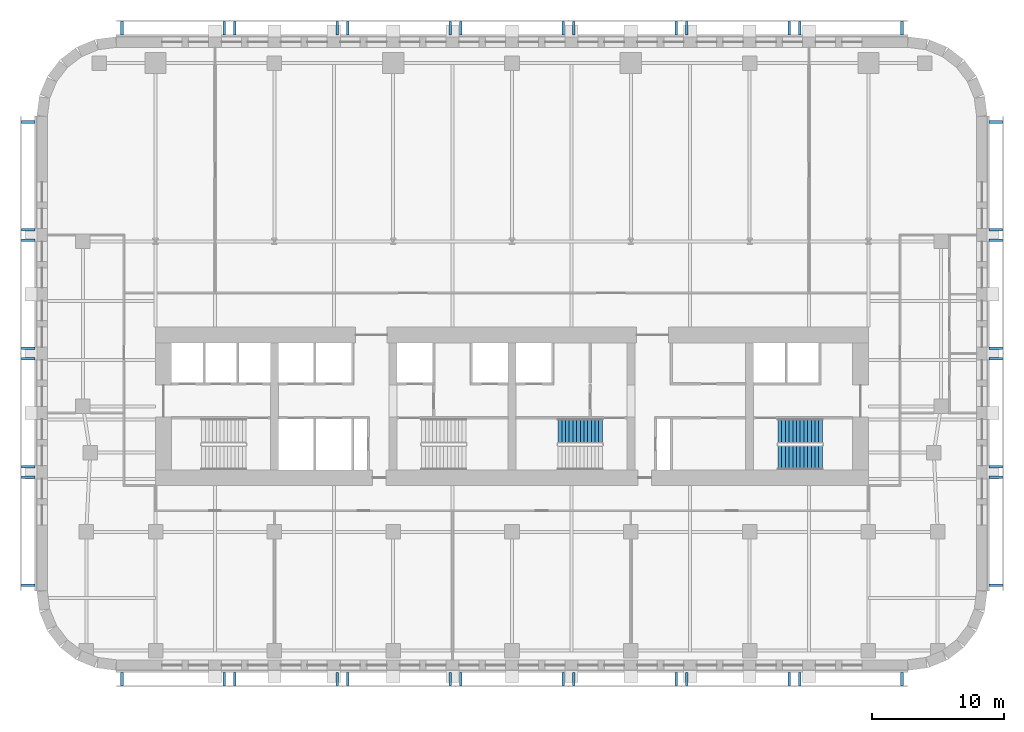
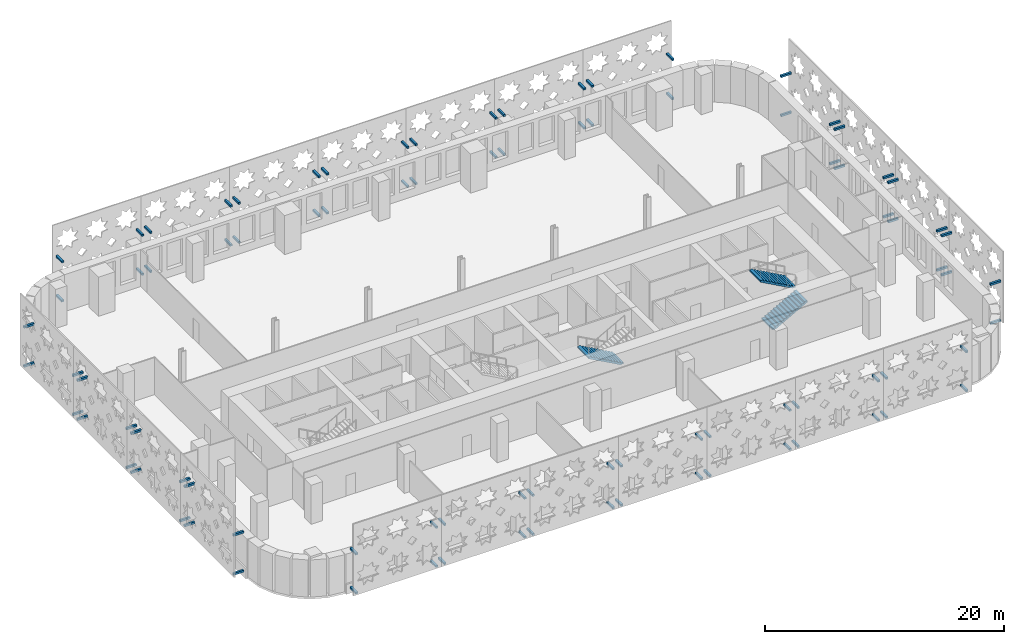
# One storey, part 8 of 13: 88 discrete accessories, 3 stair flights, 2 elements without a shape of their own.
"""IFC4 building model written with IfcOpenShell, lengths in metres."""

from ifc_helpers import new_model, si_unit, direction, frame, origin, origin_2d, place, context, subcontext, project, spatial, polyline, rectangle, outline, extrude, material, type_object, element, aggregate, save


model = new_model("IFC4")

# Units and contexts
model_context = context("Model", 3, precision=1e-05, world=origin(), true_north=direction((0.0, 1.0)))
body_context = subcontext(model_context, "Body", "Model", "MODEL_VIEW")
ifc_project = project(units=[si_unit("LENGTHUNIT", "METRE"), si_unit("AREAUNIT", "SQUARE_METRE"), si_unit("VOLUMEUNIT", "CUBIC_METRE"), si_unit("PLANEANGLEUNIT", "RADIAN"), si_unit("MASSUNIT", "GRAM", prefix="KILO")], contexts=[model_context])

# Site, building, storey
site_placement = place(None, origin())
site = spatial("IfcSite", under=ifc_project, at=site_placement, CompositionType="ELEMENT")
building_placement = place(site_placement, origin())
building = spatial("IfcBuilding", under=site, at=building_placement, Name="Zellij Exchange Tower", CompositionType="ELEMENT")
storey_placement = place(building_placement, frame((0.0, 0.0, 60.5)))
storey = spatial("IfcBuildingStorey", under=building, at=storey_placement, Name="L11", CompositionType="ELEMENT", Elevation=60.5)

# Stair, stair flight
ifc_material_1 = material(Name="Concrete C40/50", Category="concrete")
stair_type = type_object("IfcStairType", Name="CORE-ST exit stair 1850 wide", PredefinedType="HALF_TURN_STAIR", material=ifc_material_1)
stair_1_placement = place(storey_placement, origin())
stair_1 = element("IfcStair", 1, at=stair_1_placement, inside=storey, type_object=stair_type, Name="L11 exit stair ST3", PredefinedType="HALF_TURN_STAIR")
stair_flight_type = type_object("IfcStairFlightType", Name="CORE-SF flight 1850 riser 153.8 going 280", PredefinedType="STRAIGHT", material=ifc_material_1)
stair_flight_1_placement = place(storey_placement, frame((6.85009765625, -9.875, 0.0), z_axis=(0.0, 0.0, 1.0), x_axis=(-1.0, 0.0, 0.0)))
stair_flight_1 = element("IfcStairFlight", 2, at=stair_flight_1_placement, type_object=stair_flight_type, Name="ST3 flight 1", NumberOfRisers=13, NumberOfTreads=12, PredefinedType="STRAIGHT", RiserHeight=0.153846154, TreadLength=0.28, context=body_context, shape_type="SweptSolid", body=[
    extrude(outline(polyline([(0.0, 0.0), (0.0, 0.15380859375), (0.280029296875, 0.15380859375), (0.280029296875, 0.3076171875), (0.56005859375, 0.3076171875), (0.56005859375, 0.46142578125), (0.840087890625, 0.46142578125), (0.840087890625, 0.615478515625), (1.1201171875, 0.615478515625), (1.1201171875, 0.769287109375), (1.39990234375, 0.769287109375), (1.39990234375, 0.923095703125), (1.679931640625, 0.923095703125), (1.679931640625, 1.076904296875), (1.9599609375, 1.076904296875), (1.9599609375, 1.230712890625), (2.239990234375, 1.230712890625), (2.239990234375, 1.384521484375), (2.52001953125, 1.384521484375), (2.52001953125, 1.53857421875), (2.800048828125, 1.53857421875), (2.800048828125, 1.6923828125), (3.080078125, 1.6923828125), (3.080078125, 1.84619140625), (3.360107421875, 1.84619140625), (3.360107421875, 2.0), (3.360107421875, 1.675048828125), (0.311279296875, 0.0), (0.0, 0.0)])), frame((0.0, 0.925048828125, 0.0), z_axis=(0.0, -1.0, 0.0), x_axis=(1.0, 0.0, 0.0)), (0.0, 0.0, 1.0), 1.85009765625),
])
aggregate(stair_1, [stair_flight_1])

# Stair, stair flights
stair_2_placement = place(storey_placement, origin())
stair_2 = element("IfcStair", 3, at=stair_2_placement, inside=storey, type_object=stair_type, Name="L11 exit stair ST4", PredefinedType="HALF_TURN_STAIR")
stair_flight_2_placement = place(storey_placement, frame((20.14990234375, -11.875, 0.0), z_axis=(0.0, 0.0, 1.0), x_axis=(1.0, 0.0, 0.0)))
stair_flight_2 = element("IfcStairFlight", 4, at=stair_flight_2_placement, type_object=stair_flight_type, Name="ST4 flight 1", NumberOfRisers=13, NumberOfTreads=12, PredefinedType="STRAIGHT", RiserHeight=0.153846154, TreadLength=0.28, context=body_context, shape_type="SweptSolid", body=[
    extrude(outline(polyline([(0.0, 0.0), (0.0, 0.15380859375), (0.280029296875, 0.15380859375), (0.280029296875, 0.3076171875), (0.56005859375, 0.3076171875), (0.56005859375, 0.46142578125), (0.840087890625, 0.46142578125), (0.840087890625, 0.615478515625), (1.1201171875, 0.615478515625), (1.1201171875, 0.769287109375), (1.39990234375, 0.769287109375), (1.39990234375, 0.923095703125), (1.679931640625, 0.923095703125), (1.679931640625, 1.076904296875), (1.9599609375, 1.076904296875), (1.9599609375, 1.230712890625), (2.239990234375, 1.230712890625), (2.239990234375, 1.384521484375), (2.52001953125, 1.384521484375), (2.52001953125, 1.53857421875), (2.800048828125, 1.53857421875), (2.800048828125, 1.6923828125), (3.080078125, 1.6923828125), (3.080078125, 1.84619140625), (3.360107421875, 1.84619140625), (3.360107421875, 2.0), (3.360107421875, 1.675048828125), (0.311279296875, 0.0), (0.0, 0.0)])), frame((0.0, 0.925048828125, 0.0), z_axis=(0.0, -1.0, 0.0), x_axis=(1.0, 0.0, 0.0)), (0.0, 0.0, 1.0), 1.85009765625),
])
stair_flight_3_placement = place(storey_placement, frame((23.510009765625, -9.875, 2.0), z_axis=(0.0, 0.0, 1.0), x_axis=(-1.0, 0.0, 0.0)))
stair_flight_3 = element("IfcStairFlight", 5, at=stair_flight_3_placement, type_object=stair_flight_type, Name="ST4 flight 2", NumberOfRisers=13, NumberOfTreads=12, PredefinedType="STRAIGHT", RiserHeight=0.153846154, TreadLength=0.28, context=body_context, shape_type="SweptSolid", body=[
    extrude(outline(polyline([(0.0, 0.0), (0.0, 0.15380859375), (0.280029296875, 0.15380859375), (0.280029296875, 0.3076171875), (0.56005859375, 0.3076171875), (0.56005859375, 0.46142578125), (0.840087890625, 0.46142578125), (0.840087890625, 0.615478515625), (1.1201171875, 0.615478515625), (1.1201171875, 0.769287109375), (1.39990234375, 0.769287109375), (1.39990234375, 0.923095703125), (1.679931640625, 0.923095703125), (1.679931640625, 1.076904296875), (1.9599609375, 1.076904296875), (1.9599609375, 1.230712890625), (2.239990234375, 1.230712890625), (2.239990234375, 1.384521484375), (2.52001953125, 1.384521484375), (2.52001953125, 1.53857421875), (2.800048828125, 1.53857421875), (2.800048828125, 1.6923828125), (3.080078125, 1.6923828125), (3.080078125, 1.84619140625), (3.360107421875, 1.84619140625), (3.360107421875, 2.0), (3.360107421875, 1.675048828125), (0.311279296875, 0.0), (0.0, 0.0)])), frame((0.0, 0.925048828125, 0.0), z_axis=(0.0, -1.0, 0.0), x_axis=(1.0, 0.0, 0.0)), (0.0, 0.0, 1.0), 1.85009765625),
])
aggregate(stair_2, [stair_flight_2, stair_flight_3])

# Discrete accessories
ifc_material_2 = material(Name="Stainless steel", Category="steel")
discrete_accessory_type = type_object("IfcDiscreteAccessoryType", Name="ENV-BR1 Stone panel bracket 200", PredefinedType="USERDEFINED", material=ifc_material_2)
for number, where, z_axis, x_axis, name in (
    (6, (-36.64990234375, 13.547607421875, 0.2998046875), (0.0, 0.0, 1.0), (0.0, -1.0, 0.0), "Panel bracket"),
    (7, (-36.64990234375, 5.373779296875, 0.2998046875), (0.0, 0.0, 1.0), (0.0, -1.0, 0.0), "Panel bracket"),
    (8, (-36.64990234375, 13.547607421875, 4.2998046875), (0.0, 0.0, 1.0), (0.0, -1.0, 0.0), "Panel bracket"),
    (9, (-36.64990234375, 5.373779296875, 4.2998046875), (0.0, 0.0, 1.0), (0.0, -1.0, 0.0), "Panel bracket"),
    (10, (-36.64990234375, 4.57373046875, 0.2998046875), (0.0, 0.0, 1.0), (0.0, -1.0, 0.0), "Panel bracket"),
    (11, (-36.64990234375, -3.60009765625, 0.2998046875), (0.0, 0.0, 1.0), (0.0, -1.0, 0.0), "Panel bracket"),
    (12, (-36.64990234375, 4.57373046875, 4.2998046875), (0.0, 0.0, 1.0), (0.0, -1.0, 0.0), "Panel bracket"),
    (13, (-36.64990234375, -3.60009765625, 4.2998046875), (0.0, 0.0, 1.0), (0.0, -1.0, 0.0), "Panel bracket"),
    (14, (-36.64990234375, -4.39990234375, 0.2998046875), (0.0, 0.0, 1.0), (0.0, -1.0, 0.0), "Panel bracket"),
    (15, (-36.64990234375, -12.57373046875, 0.2998046875), (0.0, 0.0, 1.0), (0.0, -1.0, 0.0), "Panel bracket"),
    (16, (-36.64990234375, -4.39990234375, 4.2998046875), (0.0, 0.0, 1.0), (0.0, -1.0, 0.0), "Panel bracket"),
    (17, (-36.64990234375, -12.57373046875, 4.2998046875), (0.0, 0.0, 1.0), (0.0, -1.0, 0.0), "Panel bracket"),
    (18, (-36.64990234375, -13.373779296875, 0.2998046875), (0.0, 0.0, 1.0), (0.0, -1.0, 0.0), "Panel bracket"),
    (19, (-36.64990234375, -21.547607421875, 0.2998046875), (0.0, 0.0, 1.0), (0.0, -1.0, 0.0), "Panel bracket"),
    (20, (-36.64990234375, -13.373779296875, 4.2998046875), (0.0, 0.0, 1.0), (0.0, -1.0, 0.0), "Panel bracket"),
    (21, (-36.64990234375, -21.547607421875, 4.2998046875), (0.0, 0.0, 1.0), (0.0, -1.0, 0.0), "Panel bracket"),
    (22, (-29.547607421875, -28.64990234375, 0.2998046875), (0.0, 0.0, 1.0), (1.0, 0.0, 0.0), "Panel bracket"),
    (23, (-21.791015625, -28.64990234375, 0.2998046875), (0.0, 0.0, 1.0), (1.0, 0.0, 0.0), "Panel bracket"),
    (24, (-29.547607421875, -28.64990234375, 4.2998046875), (0.0, 0.0, 1.0), (1.0, 0.0, 0.0), "Panel bracket"),
    (25, (-21.791015625, -28.64990234375, 4.2998046875), (0.0, 0.0, 1.0), (1.0, 0.0, 0.0), "Panel bracket"),
    (26, (-20.9912109375, -28.64990234375, 0.2998046875), (0.0, 0.0, 1.0), (1.0, 0.0, 0.0), "Panel bracket"),
    (27, (-13.234619140625, -28.64990234375, 0.2998046875), (0.0, 0.0, 1.0), (1.0, 0.0, 0.0), "Panel bracket"),
    (28, (-20.9912109375, -28.64990234375, 4.2998046875), (0.0, 0.0, 1.0), (1.0, 0.0, 0.0), "Panel bracket"),
    (29, (-13.234619140625, -28.64990234375, 4.2998046875), (0.0, 0.0, 1.0), (1.0, 0.0, 0.0), "Panel bracket"),
    (30, (-12.434814453125, -28.64990234375, 0.2998046875), (0.0, 0.0, 1.0), (1.0, 0.0, 0.0), "Panel bracket"),
    (31, (-4.67822265625, -28.64990234375, 0.2998046875), (0.0, 0.0, 1.0), (1.0, 0.0, 0.0), "Panel bracket"),
    (32, (-12.434814453125, -28.64990234375, 4.2998046875), (0.0, 0.0, 1.0), (1.0, 0.0, 0.0), "Panel bracket"),
    (33, (-4.67822265625, -28.64990234375, 4.2998046875), (0.0, 0.0, 1.0), (1.0, 0.0, 0.0), "Panel bracket"),
    (34, (-3.878173828125, -28.64990234375, 0.2998046875), (0.0, 0.0, 1.0), (1.0, 0.0, 0.0), "Panel bracket"),
    (35, (3.878173828125, -28.64990234375, 0.2998046875), (0.0, 0.0, 1.0), (1.0, 0.0, 0.0), "Panel bracket"),
    (36, (-3.878173828125, -28.64990234375, 4.2998046875), (0.0, 0.0, 1.0), (1.0, 0.0, 0.0), "Panel bracket"),
    (37, (3.878173828125, -28.64990234375, 4.2998046875), (0.0, 0.0, 1.0), (1.0, 0.0, 0.0), "Panel bracket"),
    (38, (4.67822265625, -28.64990234375, 0.2998046875), (0.0, 0.0, 1.0), (1.0, 0.0, 0.0), "Panel bracket"),
    (39, (12.434814453125, -28.64990234375, 0.2998046875), (0.0, 0.0, 1.0), (1.0, 0.0, 0.0), "Panel bracket"),
    (40, (4.67822265625, -28.64990234375, 4.2998046875), (0.0, 0.0, 1.0), (1.0, 0.0, 0.0), "Panel bracket"),
    (41, (12.434814453125, -28.64990234375, 4.2998046875), (0.0, 0.0, 1.0), (1.0, 0.0, 0.0), "Panel bracket"),
    (42, (13.234619140625, -28.64990234375, 0.2998046875), (0.0, 0.0, 1.0), (1.0, 0.0, 0.0), "Panel bracket"),
    (43, (20.9912109375, -28.64990234375, 0.2998046875), (0.0, 0.0, 1.0), (1.0, 0.0, 0.0), "Panel bracket"),
    (44, (13.234619140625, -28.64990234375, 4.2998046875), (0.0, 0.0, 1.0), (1.0, 0.0, 0.0), "Panel bracket"),
    (45, (20.9912109375, -28.64990234375, 4.2998046875), (0.0, 0.0, 1.0), (1.0, 0.0, 0.0), "Panel bracket"),
    (46, (21.791015625, -28.64990234375, 0.2998046875), (0.0, 0.0, 1.0), (1.0, 0.0, 0.0), "Panel bracket"),
    (47, (29.547607421875, -28.64990234375, 0.2998046875), (0.0, 0.0, 1.0), (1.0, 0.0, 0.0), "Panel bracket"),
    (48, (21.791015625, -28.64990234375, 4.2998046875), (0.0, 0.0, 1.0), (1.0, 0.0, 0.0), "Panel bracket"),
    (49, (29.547607421875, -28.64990234375, 4.2998046875), (0.0, 0.0, 1.0), (1.0, 0.0, 0.0), "Panel bracket"),
    (50, (29.547607421875, 20.64990234375, 0.2998046875), (0.0, 0.0, 1.0), (-1.0, 0.0, 0.0), "Panel bracket"),
    (51, (21.791015625, 20.64990234375, 0.2998046875), (0.0, 0.0, 1.0), (-1.0, 0.0, 0.0), "Panel bracket"),
    (52, (29.547607421875, 20.64990234375, 4.2998046875), (0.0, 0.0, 1.0), (-1.0, 0.0, 0.0), "Panel bracket"),
    (53, (21.791015625, 20.64990234375, 4.2998046875), (0.0, 0.0, 1.0), (-1.0, 0.0, 0.0), "Panel bracket"),
    (54, (20.9912109375, 20.64990234375, 0.2998046875), (0.0, 0.0, 1.0), (-1.0, 0.0, 0.0), "Panel bracket"),
    (55, (13.234619140625, 20.64990234375, 0.2998046875), (0.0, 0.0, 1.0), (-1.0, 0.0, 0.0), "Panel bracket"),
    (56, (20.9912109375, 20.64990234375, 4.2998046875), (0.0, 0.0, 1.0), (-1.0, 0.0, 0.0), "Panel bracket"),
    (57, (13.234619140625, 20.64990234375, 4.2998046875), (0.0, 0.0, 1.0), (-1.0, 0.0, 0.0), "Panel bracket"),
    (58, (12.434814453125, 20.64990234375, 0.2998046875), (0.0, 0.0, 1.0), (-1.0, 0.0, 0.0), "Panel bracket"),
    (59, (4.67822265625, 20.64990234375, 0.2998046875), (0.0, 0.0, 1.0), (-1.0, 0.0, 0.0), "Panel bracket"),
    (60, (12.434814453125, 20.64990234375, 4.2998046875), (0.0, 0.0, 1.0), (-1.0, 0.0, 0.0), "Panel bracket"),
    (61, (4.67822265625, 20.64990234375, 4.2998046875), (0.0, 0.0, 1.0), (-1.0, 0.0, 0.0), "Panel bracket"),
    (62, (3.878173828125, 20.64990234375, 0.2998046875), (0.0, 0.0, 1.0), (-1.0, 0.0, 0.0), "Panel bracket"),
    (63, (-3.878173828125, 20.64990234375, 0.2998046875), (0.0, 0.0, 1.0), (-1.0, 0.0, 0.0), "Panel bracket"),
    (64, (3.878173828125, 20.64990234375, 4.2998046875), (0.0, 0.0, 1.0), (-1.0, 0.0, 0.0), "Panel bracket"),
    (65, (-3.878173828125, 20.64990234375, 4.2998046875), (0.0, 0.0, 1.0), (-1.0, 0.0, 0.0), "Panel bracket"),
    (66, (-4.67822265625, 20.64990234375, 0.2998046875), (0.0, 0.0, 1.0), (-1.0, 0.0, 0.0), "Panel bracket"),
    (67, (-12.434814453125, 20.64990234375, 0.2998046875), (0.0, 0.0, 1.0), (-1.0, 0.0, 0.0), "Panel bracket"),
    (68, (-4.67822265625, 20.64990234375, 4.2998046875), (0.0, 0.0, 1.0), (-1.0, 0.0, 0.0), "Panel bracket"),
    (69, (-12.434814453125, 20.64990234375, 4.2998046875), (0.0, 0.0, 1.0), (-1.0, 0.0, 0.0), "Panel bracket"),
    (70, (-13.234619140625, 20.64990234375, 0.2998046875), (0.0, 0.0, 1.0), (-1.0, 0.0, 0.0), "Panel bracket"),
    (71, (-20.9912109375, 20.64990234375, 0.2998046875), (0.0, 0.0, 1.0), (-1.0, 0.0, 0.0), "Panel bracket"),
    (72, (-13.234619140625, 20.64990234375, 4.2998046875), (0.0, 0.0, 1.0), (-1.0, 0.0, 0.0), "Panel bracket"),
    (73, (-20.9912109375, 20.64990234375, 4.2998046875), (0.0, 0.0, 1.0), (-1.0, 0.0, 0.0), "Panel bracket"),
    (74, (-21.791015625, 20.64990234375, 0.2998046875), (0.0, 0.0, 1.0), (-1.0, 0.0, 0.0), "Panel bracket"),
    (75, (-29.547607421875, 20.64990234375, 0.2998046875), (0.0, 0.0, 1.0), (-1.0, 0.0, 0.0), "Panel bracket"),
    (76, (-21.791015625, 20.64990234375, 4.2998046875), (0.0, 0.0, 1.0), (-1.0, 0.0, 0.0), "Panel bracket"),
    (77, (-29.547607421875, 20.64990234375, 4.2998046875), (0.0, 0.0, 1.0), (-1.0, 0.0, 0.0), "Panel bracket"),
    (78, (36.64990234375, -21.547607421875, 0.2998046875), (0.0, 0.0, 1.0), (0.0, 1.0, 0.0), "Panel bracket"),
    (79, (36.64990234375, -13.373779296875, 0.2998046875), (0.0, 0.0, 1.0), (0.0, 1.0, 0.0), "Panel bracket"),
    (80, (36.64990234375, -21.547607421875, 4.2998046875), (0.0, 0.0, 1.0), (0.0, 1.0, 0.0), "Panel bracket"),
    (81, (36.64990234375, -13.373779296875, 4.2998046875), (0.0, 0.0, 1.0), (0.0, 1.0, 0.0), "Panel bracket"),
    (82, (36.64990234375, -12.57373046875, 0.2998046875), (0.0, 0.0, 1.0), (0.0, 1.0, 0.0), "Panel bracket"),
    (83, (36.64990234375, -4.39990234375, 0.2998046875), (0.0, 0.0, 1.0), (0.0, 1.0, 0.0), "Panel bracket"),
    (84, (36.64990234375, -12.57373046875, 4.2998046875), (0.0, 0.0, 1.0), (0.0, 1.0, 0.0), "Panel bracket"),
    (85, (36.64990234375, -4.39990234375, 4.2998046875), (0.0, 0.0, 1.0), (0.0, 1.0, 0.0), "Panel bracket"),
    (86, (36.64990234375, -3.60009765625, 0.2998046875), (0.0, 0.0, 1.0), (0.0, 1.0, 0.0), "Panel bracket"),
    (87, (36.64990234375, 4.57373046875, 0.2998046875), (0.0, 0.0, 1.0), (0.0, 1.0, 0.0), "Panel bracket"),
    (88, (36.64990234375, -3.60009765625, 4.2998046875), (0.0, 0.0, 1.0), (0.0, 1.0, 0.0), "Panel bracket"),
    (89, (36.64990234375, 4.57373046875, 4.2998046875), (0.0, 0.0, 1.0), (0.0, 1.0, 0.0), "Panel bracket"),
    (90, (36.64990234375, 5.373779296875, 0.2998046875), (0.0, 0.0, 1.0), (0.0, 1.0, 0.0), "Panel bracket"),
    (91, (36.64990234375, 13.547607421875, 0.2998046875), (0.0, 0.0, 1.0), (0.0, 1.0, 0.0), "Panel bracket"),
    (92, (36.64990234375, 5.373779296875, 4.2998046875), (0.0, 0.0, 1.0), (0.0, 1.0, 0.0), "Panel bracket"),
    (93, (36.64990234375, 13.547607421875, 4.2998046875), (0.0, 0.0, 1.0), (0.0, 1.0, 0.0), "Panel bracket"),
):
    element("IfcDiscreteAccessory", number, at=place(storey_placement, frame(where, z_axis=z_axis, x_axis=x_axis)), inside=storey, type_object=discrete_accessory_type, Name=name, ObjectType="BRACKET", PredefinedType="USERDEFINED", context=body_context, shape_type="SweptSolid", body=[
        extrude(rectangle(XDim=0.199951171875, YDim=1.0, at=origin_2d()), origin(), (0.0, 0.0, 1.0), 0.199951171875),
    ])

save(model, "model.ifc")
